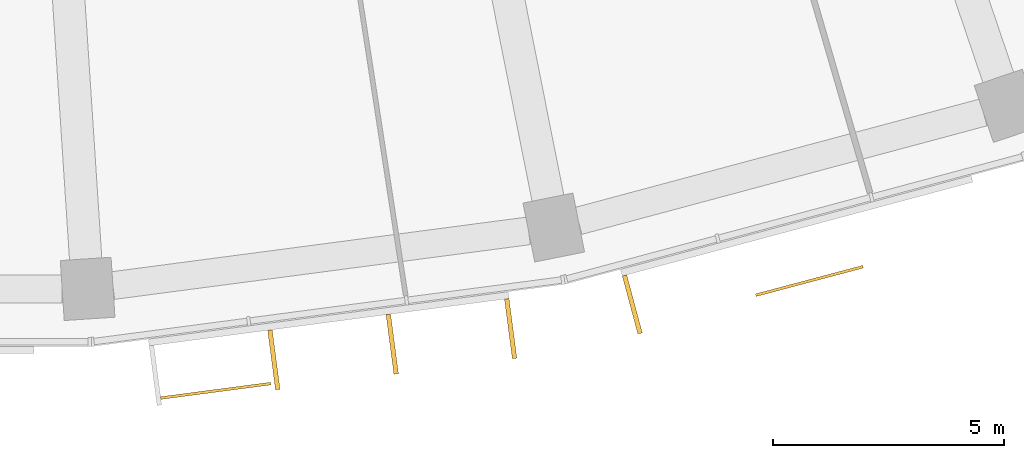
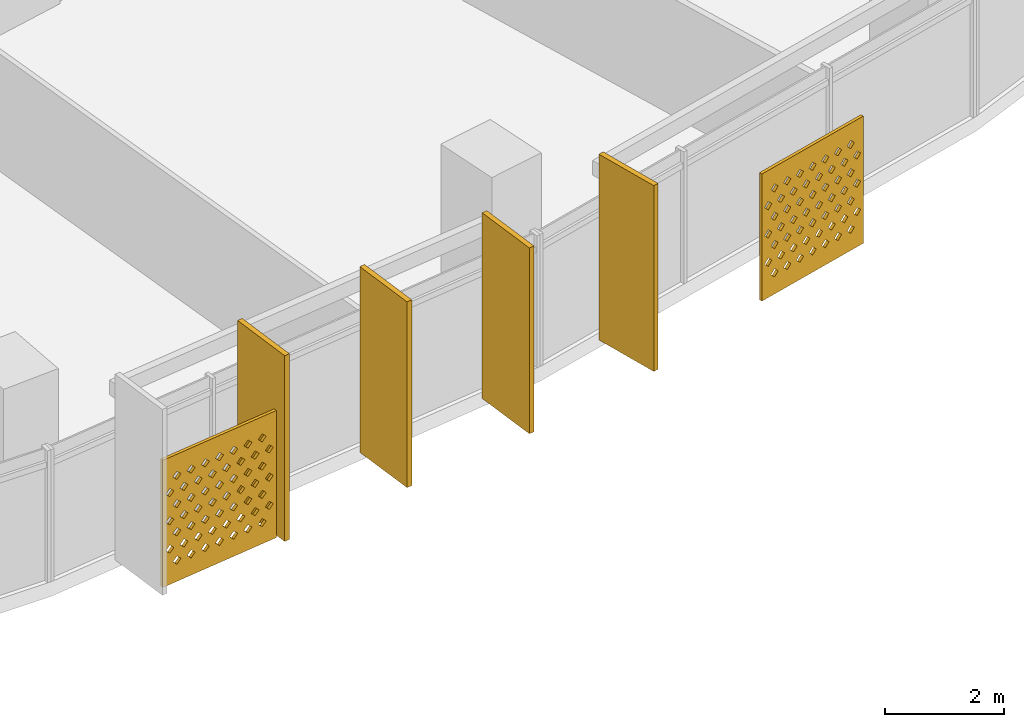
# One storey, part 24 of 27: 6 shading devices.
"""IFC4 building model written with IfcOpenShell, lengths in metres."""

import ifcopenshell
import ifcopenshell.guid

model = None  # the IFC model being written
_history = None  # IfcOwnerHistory: only IFC2X3 demands one
_inside = {}  # id of a spatial element -> (the spatial element, [elements in it])
_under = {}  # id of a project, library or spatial element -> (it, [spatial elements below it])
_declared = {}  # id of a project -> (the project, [libraries it declares])
_typed = {}  # id of a type object -> (the type object, [elements of that type])
_made_of = {}  # id of a material, layer set ... -> (it, [elements and type objects made of it])


def new_model(schema):
    """Start an empty IFC model of exactly this schema.

    Asked for "IFC4X3", IfcOpenShell would pick the latest addendum, in which some entities
    have other attributes; the version numbers below select the first issue.
    IFC2X3 requires an IfcOwnerHistory on every rooted entity: one is made here for all.
    """
    global model, _history
    if schema == "IFC4X3":
        model = ifcopenshell.file(schema_version=(4, 3, 0, 0))
    else:
        model = ifcopenshell.file(schema=schema)
    _inside.clear()
    _under.clear()
    _declared.clear()
    _typed.clear()
    _made_of.clear()
    _history = None
    if model.schema == "IFC2X3":
        org = make("IfcOrganization", Name="unknown")
        user = make(
            "IfcPersonAndOrganization",
            ThePerson=make("IfcPerson", FamilyName="unknown"),
            TheOrganization=org,
        )
        app = make(
            "IfcApplication",
            ApplicationDeveloper=org,
            Version="unknown",
            ApplicationFullName="unknown",
            ApplicationIdentifier="unknown",
        )
        _history = make(
            "IfcOwnerHistory",
            OwningUser=user,
            OwningApplication=app,
            ChangeAction="ADDED",
            CreationDate=0,
        )
    return model


def make(cls, **values):
    """One entity of the class cls with the attributes given. An attribute that is None is left unset."""
    return model.create_entity(
        cls, **{name: value for name, value in values.items() if value is not None}
    )


def rooted(cls, **values):
    """An entity with a GlobalId (a new one), such as an element, a storey or a relation."""
    return make(cls, GlobalId=ifcopenshell.guid.new(), OwnerHistory=_history, **values)


def si_unit(unit_type, name, prefix=None):
    """IfcSIUnit, for example si_unit("LENGTHUNIT", "METRE", prefix="MILLI")."""
    return make("IfcSIUnit", UnitType=unit_type, Prefix=prefix, Name=name)


def assignment(units):
    """IfcUnitAssignment: the units of a project."""
    return None if units is None else make("IfcUnitAssignment", Units=units)


def point(xyz):
    """IfcCartesianPoint."""
    return None if xyz is None else make("IfcCartesianPoint", Coordinates=xyz)


def direction(xyz):
    """IfcDirection."""
    return None if xyz is None else make("IfcDirection", DirectionRatios=xyz)


def frame(location, z_axis=None, x_axis=None):
    """IfcAxis2Placement3D, a coordinate frame: its origin and axes. An axis left out is left unset."""
    return make(
        "IfcAxis2Placement3D",
        Location=point(location),
        Axis=direction(z_axis),
        RefDirection=direction(x_axis),
    )


def frame_2d(location, x_axis=None):
    """IfcAxis2Placement2D, a coordinate frame in the plane: its origin and x axis."""
    return make(
        "IfcAxis2Placement2D", Location=point(location), RefDirection=direction(x_axis)
    )


def origin():
    """The frame at (0, 0, 0) with its axes left unset."""
    return frame((0.0, 0.0, 0.0))


def origin_2d():
    """The frame at (0, 0) in the plane with its x axis left unset."""
    return frame_2d((0.0, 0.0))


def place(relative_to, where):
    """IfcLocalPlacement: puts the frame where relative to a parent placement (None: the world)."""
    return make(
        "IfcLocalPlacement", PlacementRelTo=relative_to, RelativePlacement=where
    )


def context(
    kind, dimensions, precision=None, world=None, true_north=None, identifier=None
):
    """IfcGeometricRepresentationContext, for example the 3D "Model" context."""
    return make(
        "IfcGeometricRepresentationContext",
        ContextIdentifier=identifier,
        ContextType=kind,
        CoordinateSpaceDimension=dimensions,
        Precision=precision,
        WorldCoordinateSystem=world,
        TrueNorth=true_north,
    )


def subcontext(parent, identifier, kind, view, scale=None):
    """IfcGeometricRepresentationSubContext, for example "Body" below "Model"."""
    return make(
        "IfcGeometricRepresentationSubContext",
        ContextIdentifier=identifier,
        ContextType=kind,
        ParentContext=parent,
        TargetScale=scale,
        TargetView=view,
    )


def project(units=None, contexts=None):
    """IfcProject with its units and contexts."""
    return rooted(
        "IfcProject",
        Name="project",
        RepresentationContexts=contexts,
        UnitsInContext=assignment(units),
    )


def spatial(cls, under=None, at=None, **own):
    """A site, building, storey or space (cls), placed at a placement, below another one or the project."""
    s = rooted(cls, ObjectPlacement=at, **own)
    if under is not None:
        _under.setdefault(under.id(), (under, []))[1].append(s)
    return s


def polyline(points):
    """IfcPolyline through the points."""
    return make("IfcPolyline", Points=[point(p) for p in points])


def profile(cls, at=None, kind="AREA", **sizes):
    """A parametric profile (cls). Its sizes go by their IFC names, for example OverallWidth=200.0."""
    return make(cls, ProfileType=kind, Position=at, **sizes)


def rectangle(**sizes):
    """IfcRectangleProfileDef."""
    return profile("IfcRectangleProfileDef", **sizes)


def outline(outer, holes=None, kind="AREA"):
    """IfcArbitraryClosedProfileDef: a profile drawn as a closed curve; with holes, ...WithVoids."""
    if holes is None:
        return make("IfcArbitraryClosedProfileDef", ProfileType=kind, OuterCurve=outer)
    return make(
        "IfcArbitraryProfileDefWithVoids",
        ProfileType=kind,
        OuterCurve=outer,
        InnerCurves=holes,
    )


def extrude(swept, where, along, depth):
    """IfcExtrudedAreaSolid: the profile swept, set in the frame where, extruded along a direction by depth."""
    return make(
        "IfcExtrudedAreaSolid",
        SweptArea=swept,
        Position=where,
        ExtrudedDirection=direction(along),
        Depth=depth,
    )


def shape(context_of_items, identifier, shape_type, items):
    """IfcShapeRepresentation: the items that make up one representation, for example the "Body"."""
    return make(
        "IfcShapeRepresentation",
        ContextOfItems=context_of_items,
        RepresentationIdentifier=identifier,
        RepresentationType=shape_type,
        Items=items,
    )


def material(Name=None, Category=None):
    """IfcMaterial."""
    return make("IfcMaterial", Name=Name, Category=Category)


def material_profile(
    of_material, cross_section, Name=None, Category=None, Priority=None
):
    """IfcMaterialProfile: a cross section and its material."""
    return make(
        "IfcMaterialProfile",
        Name=Name,
        Material=of_material,
        Profile=cross_section,
        Priority=Priority,
        Category=Category,
    )


def profile_set(profiles, Name=None, composite=None):
    """IfcMaterialProfileSet."""
    return make(
        "IfcMaterialProfileSet",
        Name=Name,
        MaterialProfiles=profiles,
        CompositeProfile=composite,
    )


def made_of(thing, what):
    """Note that an element or type object is made of a material, layer set ...; save() writes the relation."""
    if what is not None:
        _made_of.setdefault(what.id(), (what, []))[1].append(thing)
    return thing


def type_object(cls, material=None, **own):
    """A type object (cls), such as IfcWallType, which elements share."""
    return made_of(rooted(cls, **own), material)


def element(
    cls,
    number,
    at=None,
    inside=None,
    cuts=None,
    type_object=None,
    material=None,
    context=None,
    identifier="Body",
    shape_type=None,
    held_by="IfcProductDefinitionShape",
    body=None,
    shapes=None,
    **own,
):
    """One element of the class cls, such as IfcWall. Its Tag is "e" and its number.

    at: its placement. inside: the storey or other place that contains it. cuts: it is an
    opening in that element (IfcRelVoidsElement). A single representation is given by context,
    identifier, shape_type and body (its items); several are given by shapes. held_by: the class
    of the entity that holds the representations. save() writes the other relations.
    """
    e = rooted(cls, Tag="e%d" % number, ObjectPlacement=at, **own)
    if body is not None:
        shapes = [shape(context, identifier, shape_type, body)]
    if shapes is not None:
        e.Representation = make(held_by, Representations=shapes)
    if inside is not None:
        _inside.setdefault(inside.id(), (inside, []))[1].append(e)
    if cuts is not None:
        rooted(
            "IfcRelVoidsElement", RelatingBuildingElement=cuts, RelatedOpeningElement=e
        )
    if type_object is not None:
        _typed.setdefault(type_object.id(), (type_object, []))[1].append(e)
    return made_of(e, material)


def aggregate(whole, parts):
    """IfcRelAggregates: a whole, such as a stair, and the parts it consists of."""
    return rooted("IfcRelAggregates", RelatingObject=whole, RelatedObjects=parts)


def save(model, path):
    """Write the relations noted so far, then the file.

    IfcRelAggregates (storeys below a building ...), IfcRelContainedInSpatialStructure (elements
    in a storey), IfcRelDefinesByType, IfcRelAssociatesMaterial and IfcRelDeclares: one each for
    every whole, place, type object, material and project.
    """
    for whole, parts in _under.values():
        aggregate(whole, parts)
    for where, things in _inside.values():
        rooted(
            "IfcRelContainedInSpatialStructure",
            RelatedElements=things,
            RelatingStructure=where,
        )
    for kind, things in _typed.values():
        rooted("IfcRelDefinesByType", RelatedObjects=things, RelatingType=kind)
    for what, things in _made_of.values():
        rooted("IfcRelAssociatesMaterial", RelatedObjects=things, RelatingMaterial=what)
    for by, libraries in _declared.values():
        rooted("IfcRelDeclares", RelatingContext=by, RelatedDefinitions=libraries)
    model.write(path)


model = new_model("IFC4")

# Units and contexts
model_context = context("Model", 3, precision=1e-05, world=origin(), true_north=direction((0.0, 1.0)))
body_context = subcontext(model_context, "Body", "Model", "MODEL_VIEW")
ifc_project = project(units=[si_unit("LENGTHUNIT", "METRE"), si_unit("AREAUNIT", "SQUARE_METRE"), si_unit("VOLUMEUNIT", "CUBIC_METRE"), si_unit("PLANEANGLEUNIT", "RADIAN"), si_unit("MASSUNIT", "GRAM", prefix="KILO")], contexts=[model_context])

# Site, building, storey
site_placement = place(None, origin())
site = spatial("IfcSite", under=ifc_project, at=site_placement, CompositionType="ELEMENT")
building_placement = place(site_placement, origin())
building = spatial("IfcBuilding", under=site, at=building_placement, Name="Qamariyya Broadcast Tower", CompositionType="ELEMENT")
storey_placement = place(building_placement, frame((0.0, 0.0, 191.10009765625)))
storey = spatial("IfcBuildingStorey", under=building, at=storey_placement, Name="L45", CompositionType="ELEMENT", Elevation=191.10009765625)

# Shading devices
ifc_material_1 = material(Name="Perforated glazed terracotta", Category="masonry")
ifc_material_profile_1 = material_profile(ifc_material_1, outline(polyline([(-1.199951171875, -1.300048828125), (1.199951171875, -1.300048828125), (1.199951171875, 1.300048828125), (-1.199951171875, 1.300048828125), (-1.199951171875, -1.300048828125)]), holes=[polyline([(-0.81494140625, -0.86669921875), (-0.89990234375, -0.78173828125), (-0.985107421875, -0.86669921875), (-0.89990234375, -0.95166015625), (-0.81494140625, -0.86669921875)]), polyline([(-0.514892578125, -0.86669921875), (-0.60009765625, -0.78173828125), (-0.68505859375, -0.86669921875), (-0.60009765625, -0.95166015625), (-0.514892578125, -0.86669921875)]), polyline([(-0.215087890625, -0.86669921875), (-0.300048828125, -0.78173828125), (-0.385009765625, -0.86669921875), (-0.300048828125, -0.95166015625), (-0.215087890625, -0.86669921875)]), polyline([(0.0849609375, -0.86669921875), (0.0, -0.78173828125), (-0.0849609375, -0.86669921875), (0.0, -0.95166015625), (0.0849609375, -0.86669921875)]), polyline([(0.385009765625, -0.86669921875), (0.300048828125, -0.78173828125), (0.215087890625, -0.86669921875), (0.300048828125, -0.95166015625), (0.385009765625, -0.86669921875)]), polyline([(0.68505859375, -0.86669921875), (0.60009765625, -0.78173828125), (0.514892578125, -0.86669921875), (0.60009765625, -0.95166015625), (0.68505859375, -0.86669921875)]), polyline([(0.985107421875, -0.86669921875), (0.89990234375, -0.78173828125), (0.81494140625, -0.86669921875), (0.89990234375, -0.95166015625), (0.985107421875, -0.86669921875)]), polyline([(-0.965087890625, -0.577880859375), (-1.050048828125, -0.49267578125), (-1.135009765625, -0.577880859375), (-1.050048828125, -0.662841796875), (-0.965087890625, -0.577880859375)]), polyline([(-0.6650390625, -0.577880859375), (-0.75, -0.49267578125), (-0.8349609375, -0.577880859375), (-0.75, -0.662841796875), (-0.6650390625, -0.577880859375)]), polyline([(-0.364990234375, -0.577880859375), (-0.449951171875, -0.49267578125), (-0.534912109375, -0.577880859375), (-0.449951171875, -0.662841796875), (-0.364990234375, -0.577880859375)]), polyline([(-0.06494140625, -0.577880859375), (-0.14990234375, -0.49267578125), (-0.235107421875, -0.577880859375), (-0.14990234375, -0.662841796875), (-0.06494140625, -0.577880859375)]), polyline([(0.235107421875, -0.577880859375), (0.14990234375, -0.49267578125), (0.06494140625, -0.577880859375), (0.14990234375, -0.662841796875), (0.235107421875, -0.577880859375)]), polyline([(0.534912109375, -0.577880859375), (0.449951171875, -0.49267578125), (0.364990234375, -0.577880859375), (0.449951171875, -0.662841796875), (0.534912109375, -0.577880859375)]), polyline([(0.8349609375, -0.577880859375), (0.75, -0.49267578125), (0.6650390625, -0.577880859375), (0.75, -0.662841796875), (0.8349609375, -0.577880859375)]), polyline([(1.135009765625, -0.577880859375), (1.050048828125, -0.49267578125), (0.965087890625, -0.577880859375), (1.050048828125, -0.662841796875), (1.135009765625, -0.577880859375)]), polyline([(-0.81494140625, -0.288818359375), (-0.89990234375, -0.203857421875), (-0.985107421875, -0.288818359375), (-0.89990234375, -0.373779296875), (-0.81494140625, -0.288818359375)]), polyline([(-0.514892578125, -0.288818359375), (-0.60009765625, -0.203857421875), (-0.68505859375, -0.288818359375), (-0.60009765625, -0.373779296875), (-0.514892578125, -0.288818359375)]), polyline([(-0.215087890625, -0.288818359375), (-0.300048828125, -0.203857421875), (-0.385009765625, -0.288818359375), (-0.300048828125, -0.373779296875), (-0.215087890625, -0.288818359375)]), polyline([(0.0849609375, -0.288818359375), (0.0, -0.203857421875), (-0.0849609375, -0.288818359375), (0.0, -0.373779296875), (0.0849609375, -0.288818359375)]), polyline([(0.385009765625, -0.288818359375), (0.300048828125, -0.203857421875), (0.215087890625, -0.288818359375), (0.300048828125, -0.373779296875), (0.385009765625, -0.288818359375)]), polyline([(0.68505859375, -0.288818359375), (0.60009765625, -0.203857421875), (0.514892578125, -0.288818359375), (0.60009765625, -0.373779296875), (0.68505859375, -0.288818359375)]), polyline([(0.985107421875, -0.288818359375), (0.89990234375, -0.203857421875), (0.81494140625, -0.288818359375), (0.89990234375, -0.373779296875), (0.985107421875, -0.288818359375)]), polyline([(-0.965087890625, 0.0), (-1.050048828125, 0.0849609375), (-1.135009765625, 0.0), (-1.050048828125, -0.0849609375), (-0.965087890625, 0.0)]), polyline([(-0.6650390625, 0.0), (-0.75, 0.0849609375), (-0.8349609375, 0.0), (-0.75, -0.0849609375), (-0.6650390625, 0.0)]), polyline([(-0.364990234375, 0.0), (-0.449951171875, 0.0849609375), (-0.534912109375, 0.0), (-0.449951171875, -0.0849609375), (-0.364990234375, 0.0)]), polyline([(-0.06494140625, 0.0), (-0.14990234375, 0.0849609375), (-0.235107421875, 0.0), (-0.14990234375, -0.0849609375), (-0.06494140625, 0.0)]), polyline([(0.235107421875, 0.0), (0.14990234375, 0.0849609375), (0.06494140625, 0.0), (0.14990234375, -0.0849609375), (0.235107421875, 0.0)]), polyline([(0.534912109375, 0.0), (0.449951171875, 0.0849609375), (0.364990234375, 0.0), (0.449951171875, -0.0849609375), (0.534912109375, 0.0)]), polyline([(0.8349609375, 0.0), (0.75, 0.0849609375), (0.6650390625, 0.0), (0.75, -0.0849609375), (0.8349609375, 0.0)]), polyline([(1.135009765625, 0.0), (1.050048828125, 0.0849609375), (0.965087890625, 0.0), (1.050048828125, -0.0849609375), (1.135009765625, 0.0)]), polyline([(-0.81494140625, 0.288818359375), (-0.89990234375, 0.373779296875), (-0.985107421875, 0.288818359375), (-0.89990234375, 0.203857421875), (-0.81494140625, 0.288818359375)]), polyline([(-0.514892578125, 0.288818359375), (-0.60009765625, 0.373779296875), (-0.68505859375, 0.288818359375), (-0.60009765625, 0.203857421875), (-0.514892578125, 0.288818359375)]), polyline([(-0.215087890625, 0.288818359375), (-0.300048828125, 0.373779296875), (-0.385009765625, 0.288818359375), (-0.300048828125, 0.203857421875), (-0.215087890625, 0.288818359375)]), polyline([(0.0849609375, 0.288818359375), (0.0, 0.373779296875), (-0.0849609375, 0.288818359375), (0.0, 0.203857421875), (0.0849609375, 0.288818359375)]), polyline([(0.385009765625, 0.288818359375), (0.300048828125, 0.373779296875), (0.215087890625, 0.288818359375), (0.300048828125, 0.203857421875), (0.385009765625, 0.288818359375)]), polyline([(0.68505859375, 0.288818359375), (0.60009765625, 0.373779296875), (0.514892578125, 0.288818359375), (0.60009765625, 0.203857421875), (0.68505859375, 0.288818359375)]), polyline([(0.985107421875, 0.288818359375), (0.89990234375, 0.373779296875), (0.81494140625, 0.288818359375), (0.89990234375, 0.203857421875), (0.985107421875, 0.288818359375)]), polyline([(-0.965087890625, 0.577880859375), (-1.050048828125, 0.662841796875), (-1.135009765625, 0.577880859375), (-1.050048828125, 0.49267578125), (-0.965087890625, 0.577880859375)]), polyline([(-0.6650390625, 0.577880859375), (-0.75, 0.662841796875), (-0.8349609375, 0.577880859375), (-0.75, 0.49267578125), (-0.6650390625, 0.577880859375)]), polyline([(-0.364990234375, 0.577880859375), (-0.449951171875, 0.662841796875), (-0.534912109375, 0.577880859375), (-0.449951171875, 0.49267578125), (-0.364990234375, 0.577880859375)]), polyline([(-0.06494140625, 0.577880859375), (-0.14990234375, 0.662841796875), (-0.235107421875, 0.577880859375), (-0.14990234375, 0.49267578125), (-0.06494140625, 0.577880859375)]), polyline([(0.235107421875, 0.577880859375), (0.14990234375, 0.662841796875), (0.06494140625, 0.577880859375), (0.14990234375, 0.49267578125), (0.235107421875, 0.577880859375)]), polyline([(0.534912109375, 0.577880859375), (0.449951171875, 0.662841796875), (0.364990234375, 0.577880859375), (0.449951171875, 0.49267578125), (0.534912109375, 0.577880859375)]), polyline([(0.8349609375, 0.577880859375), (0.75, 0.662841796875), (0.6650390625, 0.577880859375), (0.75, 0.49267578125), (0.8349609375, 0.577880859375)]), polyline([(1.135009765625, 0.577880859375), (1.050048828125, 0.662841796875), (0.965087890625, 0.577880859375), (1.050048828125, 0.49267578125), (1.135009765625, 0.577880859375)]), polyline([(-0.81494140625, 0.86669921875), (-0.89990234375, 0.95166015625), (-0.985107421875, 0.86669921875), (-0.89990234375, 0.78173828125), (-0.81494140625, 0.86669921875)]), polyline([(-0.514892578125, 0.86669921875), (-0.60009765625, 0.95166015625), (-0.68505859375, 0.86669921875), (-0.60009765625, 0.78173828125), (-0.514892578125, 0.86669921875)]), polyline([(-0.215087890625, 0.86669921875), (-0.300048828125, 0.95166015625), (-0.385009765625, 0.86669921875), (-0.300048828125, 0.78173828125), (-0.215087890625, 0.86669921875)]), polyline([(0.0849609375, 0.86669921875), (0.0, 0.95166015625), (-0.0849609375, 0.86669921875), (0.0, 0.78173828125), (0.0849609375, 0.86669921875)]), polyline([(0.385009765625, 0.86669921875), (0.300048828125, 0.95166015625), (0.215087890625, 0.86669921875), (0.300048828125, 0.78173828125), (0.385009765625, 0.86669921875)]), polyline([(0.68505859375, 0.86669921875), (0.60009765625, 0.95166015625), (0.514892578125, 0.86669921875), (0.60009765625, 0.78173828125), (0.68505859375, 0.86669921875)]), polyline([(0.985107421875, 0.86669921875), (0.89990234375, 0.95166015625), (0.81494140625, 0.86669921875), (0.89990234375, 0.78173828125), (0.985107421875, 0.86669921875)])]))
ifc_profile_set_1 = profile_set([ifc_material_profile_1], Name="Perforated glazed terracotta")
shading_device_type_1 = type_object("IfcShadingDeviceType", Name="Perforated terracotta screen 2400 x 2600", PredefinedType="USERDEFINED", material=ifc_profile_set_1)
shading_device_1_placement = place(storey_placement, frame((7.8525390625, -79.75830078125, 1.349853515625), z_axis=(0.13056005306, -0.991440402921, 0.0), x_axis=(0.991440402921, 0.13056005306, 0.0)))
element("IfcShadingDevice", 1, at=shading_device_1_placement, inside=storey, type_object=shading_device_type_1, Name="e-scr-L45-08-0", ObjectType="SCREEN", PredefinedType="USERDEFINED", context=body_context, shape_type="SweptSolid", body=[
    extrude(outline(polyline([(-1.199951171875, -1.300048828125), (1.199951171875, -1.300048828125), (1.199951171875, 1.300048828125), (-1.199951171875, 1.300048828125), (-1.199951171875, -1.300048828125)]), holes=[polyline([(-0.81494140625, -0.86669921875), (-0.89990234375, -0.78173828125), (-0.985107421875, -0.86669921875), (-0.89990234375, -0.95166015625), (-0.81494140625, -0.86669921875)]), polyline([(-0.514892578125, -0.86669921875), (-0.60009765625, -0.78173828125), (-0.68505859375, -0.86669921875), (-0.60009765625, -0.95166015625), (-0.514892578125, -0.86669921875)]), polyline([(-0.215087890625, -0.86669921875), (-0.300048828125, -0.78173828125), (-0.385009765625, -0.86669921875), (-0.300048828125, -0.95166015625), (-0.215087890625, -0.86669921875)]), polyline([(0.0849609375, -0.86669921875), (0.0, -0.78173828125), (-0.0849609375, -0.86669921875), (0.0, -0.95166015625), (0.0849609375, -0.86669921875)]), polyline([(0.385009765625, -0.86669921875), (0.300048828125, -0.78173828125), (0.215087890625, -0.86669921875), (0.300048828125, -0.95166015625), (0.385009765625, -0.86669921875)]), polyline([(0.68505859375, -0.86669921875), (0.60009765625, -0.78173828125), (0.514892578125, -0.86669921875), (0.60009765625, -0.95166015625), (0.68505859375, -0.86669921875)]), polyline([(0.985107421875, -0.86669921875), (0.89990234375, -0.78173828125), (0.81494140625, -0.86669921875), (0.89990234375, -0.95166015625), (0.985107421875, -0.86669921875)]), polyline([(-0.965087890625, -0.577880859375), (-1.050048828125, -0.49267578125), (-1.135009765625, -0.577880859375), (-1.050048828125, -0.662841796875), (-0.965087890625, -0.577880859375)]), polyline([(-0.6650390625, -0.577880859375), (-0.75, -0.49267578125), (-0.8349609375, -0.577880859375), (-0.75, -0.662841796875), (-0.6650390625, -0.577880859375)]), polyline([(-0.364990234375, -0.577880859375), (-0.449951171875, -0.49267578125), (-0.534912109375, -0.577880859375), (-0.449951171875, -0.662841796875), (-0.364990234375, -0.577880859375)]), polyline([(-0.06494140625, -0.577880859375), (-0.14990234375, -0.49267578125), (-0.235107421875, -0.577880859375), (-0.14990234375, -0.662841796875), (-0.06494140625, -0.577880859375)]), polyline([(0.235107421875, -0.577880859375), (0.14990234375, -0.49267578125), (0.06494140625, -0.577880859375), (0.14990234375, -0.662841796875), (0.235107421875, -0.577880859375)]), polyline([(0.534912109375, -0.577880859375), (0.449951171875, -0.49267578125), (0.364990234375, -0.577880859375), (0.449951171875, -0.662841796875), (0.534912109375, -0.577880859375)]), polyline([(0.8349609375, -0.577880859375), (0.75, -0.49267578125), (0.6650390625, -0.577880859375), (0.75, -0.662841796875), (0.8349609375, -0.577880859375)]), polyline([(1.135009765625, -0.577880859375), (1.050048828125, -0.49267578125), (0.965087890625, -0.577880859375), (1.050048828125, -0.662841796875), (1.135009765625, -0.577880859375)]), polyline([(-0.81494140625, -0.288818359375), (-0.89990234375, -0.203857421875), (-0.985107421875, -0.288818359375), (-0.89990234375, -0.373779296875), (-0.81494140625, -0.288818359375)]), polyline([(-0.514892578125, -0.288818359375), (-0.60009765625, -0.203857421875), (-0.68505859375, -0.288818359375), (-0.60009765625, -0.373779296875), (-0.514892578125, -0.288818359375)]), polyline([(-0.215087890625, -0.288818359375), (-0.300048828125, -0.203857421875), (-0.385009765625, -0.288818359375), (-0.300048828125, -0.373779296875), (-0.215087890625, -0.288818359375)]), polyline([(0.0849609375, -0.288818359375), (0.0, -0.203857421875), (-0.0849609375, -0.288818359375), (0.0, -0.373779296875), (0.0849609375, -0.288818359375)]), polyline([(0.385009765625, -0.288818359375), (0.300048828125, -0.203857421875), (0.215087890625, -0.288818359375), (0.300048828125, -0.373779296875), (0.385009765625, -0.288818359375)]), polyline([(0.68505859375, -0.288818359375), (0.60009765625, -0.203857421875), (0.514892578125, -0.288818359375), (0.60009765625, -0.373779296875), (0.68505859375, -0.288818359375)]), polyline([(0.985107421875, -0.288818359375), (0.89990234375, -0.203857421875), (0.81494140625, -0.288818359375), (0.89990234375, -0.373779296875), (0.985107421875, -0.288818359375)]), polyline([(-0.965087890625, 0.0), (-1.050048828125, 0.0849609375), (-1.135009765625, 0.0), (-1.050048828125, -0.0849609375), (-0.965087890625, 0.0)]), polyline([(-0.6650390625, 0.0), (-0.75, 0.0849609375), (-0.8349609375, 0.0), (-0.75, -0.0849609375), (-0.6650390625, 0.0)]), polyline([(-0.364990234375, 0.0), (-0.449951171875, 0.0849609375), (-0.534912109375, 0.0), (-0.449951171875, -0.0849609375), (-0.364990234375, 0.0)]), polyline([(-0.06494140625, 0.0), (-0.14990234375, 0.0849609375), (-0.235107421875, 0.0), (-0.14990234375, -0.0849609375), (-0.06494140625, 0.0)]), polyline([(0.235107421875, 0.0), (0.14990234375, 0.0849609375), (0.06494140625, 0.0), (0.14990234375, -0.0849609375), (0.235107421875, 0.0)]), polyline([(0.534912109375, 0.0), (0.449951171875, 0.0849609375), (0.364990234375, 0.0), (0.449951171875, -0.0849609375), (0.534912109375, 0.0)]), polyline([(0.8349609375, 0.0), (0.75, 0.0849609375), (0.6650390625, 0.0), (0.75, -0.0849609375), (0.8349609375, 0.0)]), polyline([(1.135009765625, 0.0), (1.050048828125, 0.0849609375), (0.965087890625, 0.0), (1.050048828125, -0.0849609375), (1.135009765625, 0.0)]), polyline([(-0.81494140625, 0.288818359375), (-0.89990234375, 0.373779296875), (-0.985107421875, 0.288818359375), (-0.89990234375, 0.203857421875), (-0.81494140625, 0.288818359375)]), polyline([(-0.514892578125, 0.288818359375), (-0.60009765625, 0.373779296875), (-0.68505859375, 0.288818359375), (-0.60009765625, 0.203857421875), (-0.514892578125, 0.288818359375)]), polyline([(-0.215087890625, 0.288818359375), (-0.300048828125, 0.373779296875), (-0.385009765625, 0.288818359375), (-0.300048828125, 0.203857421875), (-0.215087890625, 0.288818359375)]), polyline([(0.0849609375, 0.288818359375), (0.0, 0.373779296875), (-0.0849609375, 0.288818359375), (0.0, 0.203857421875), (0.0849609375, 0.288818359375)]), polyline([(0.385009765625, 0.288818359375), (0.300048828125, 0.373779296875), (0.215087890625, 0.288818359375), (0.300048828125, 0.203857421875), (0.385009765625, 0.288818359375)]), polyline([(0.68505859375, 0.288818359375), (0.60009765625, 0.373779296875), (0.514892578125, 0.288818359375), (0.60009765625, 0.203857421875), (0.68505859375, 0.288818359375)]), polyline([(0.985107421875, 0.288818359375), (0.89990234375, 0.373779296875), (0.81494140625, 0.288818359375), (0.89990234375, 0.203857421875), (0.985107421875, 0.288818359375)]), polyline([(-0.965087890625, 0.577880859375), (-1.050048828125, 0.662841796875), (-1.135009765625, 0.577880859375), (-1.050048828125, 0.49267578125), (-0.965087890625, 0.577880859375)]), polyline([(-0.6650390625, 0.577880859375), (-0.75, 0.662841796875), (-0.8349609375, 0.577880859375), (-0.75, 0.49267578125), (-0.6650390625, 0.577880859375)]), polyline([(-0.364990234375, 0.577880859375), (-0.449951171875, 0.662841796875), (-0.534912109375, 0.577880859375), (-0.449951171875, 0.49267578125), (-0.364990234375, 0.577880859375)]), polyline([(-0.06494140625, 0.577880859375), (-0.14990234375, 0.662841796875), (-0.235107421875, 0.577880859375), (-0.14990234375, 0.49267578125), (-0.06494140625, 0.577880859375)]), polyline([(0.235107421875, 0.577880859375), (0.14990234375, 0.662841796875), (0.06494140625, 0.577880859375), (0.14990234375, 0.49267578125), (0.235107421875, 0.577880859375)]), polyline([(0.534912109375, 0.577880859375), (0.449951171875, 0.662841796875), (0.364990234375, 0.577880859375), (0.449951171875, 0.49267578125), (0.534912109375, 0.577880859375)]), polyline([(0.8349609375, 0.577880859375), (0.75, 0.662841796875), (0.6650390625, 0.577880859375), (0.75, 0.49267578125), (0.8349609375, 0.577880859375)]), polyline([(1.135009765625, 0.577880859375), (1.050048828125, 0.662841796875), (0.965087890625, 0.577880859375), (1.050048828125, 0.49267578125), (1.135009765625, 0.577880859375)]), polyline([(-0.81494140625, 0.86669921875), (-0.89990234375, 0.95166015625), (-0.985107421875, 0.86669921875), (-0.89990234375, 0.78173828125), (-0.81494140625, 0.86669921875)]), polyline([(-0.514892578125, 0.86669921875), (-0.60009765625, 0.95166015625), (-0.68505859375, 0.86669921875), (-0.60009765625, 0.78173828125), (-0.514892578125, 0.86669921875)]), polyline([(-0.215087890625, 0.86669921875), (-0.300048828125, 0.95166015625), (-0.385009765625, 0.86669921875), (-0.300048828125, 0.78173828125), (-0.215087890625, 0.86669921875)]), polyline([(0.0849609375, 0.86669921875), (0.0, 0.95166015625), (-0.0849609375, 0.86669921875), (0.0, 0.78173828125), (0.0849609375, 0.86669921875)]), polyline([(0.385009765625, 0.86669921875), (0.300048828125, 0.95166015625), (0.215087890625, 0.86669921875), (0.300048828125, 0.78173828125), (0.385009765625, 0.86669921875)]), polyline([(0.68505859375, 0.86669921875), (0.60009765625, 0.95166015625), (0.514892578125, 0.86669921875), (0.60009765625, 0.78173828125), (0.68505859375, 0.86669921875)]), polyline([(0.985107421875, 0.86669921875), (0.89990234375, 0.95166015625), (0.81494140625, 0.86669921875), (0.89990234375, 0.78173828125), (0.985107421875, 0.86669921875)])]), origin(), (0.0, 0.0, 1.0), 0.059814453125),
])
shading_device_2_placement = place(storey_placement, frame((20.69140625, -77.38232421875, 1.349853515625), z_axis=(0.256901156343, -0.966437683387, 0.0), x_axis=(0.966437683387, 0.256901156343, 0.0)))
element("IfcShadingDevice", 2, at=shading_device_2_placement, inside=storey, type_object=shading_device_type_1, Name="e-scr-L45-09-1", ObjectType="SCREEN", PredefinedType="USERDEFINED", context=body_context, shape_type="SweptSolid", body=[
    extrude(outline(polyline([(-1.199951171875, -1.300048828125), (1.199951171875, -1.300048828125), (1.199951171875, 1.300048828125), (-1.199951171875, 1.300048828125), (-1.199951171875, -1.300048828125)]), holes=[polyline([(-0.81494140625, -0.86669921875), (-0.89990234375, -0.78173828125), (-0.985107421875, -0.86669921875), (-0.89990234375, -0.95166015625), (-0.81494140625, -0.86669921875)]), polyline([(-0.514892578125, -0.86669921875), (-0.60009765625, -0.78173828125), (-0.68505859375, -0.86669921875), (-0.60009765625, -0.95166015625), (-0.514892578125, -0.86669921875)]), polyline([(-0.215087890625, -0.86669921875), (-0.300048828125, -0.78173828125), (-0.385009765625, -0.86669921875), (-0.300048828125, -0.95166015625), (-0.215087890625, -0.86669921875)]), polyline([(0.0849609375, -0.86669921875), (0.0, -0.78173828125), (-0.0849609375, -0.86669921875), (0.0, -0.95166015625), (0.0849609375, -0.86669921875)]), polyline([(0.385009765625, -0.86669921875), (0.300048828125, -0.78173828125), (0.215087890625, -0.86669921875), (0.300048828125, -0.95166015625), (0.385009765625, -0.86669921875)]), polyline([(0.68505859375, -0.86669921875), (0.60009765625, -0.78173828125), (0.514892578125, -0.86669921875), (0.60009765625, -0.95166015625), (0.68505859375, -0.86669921875)]), polyline([(0.985107421875, -0.86669921875), (0.89990234375, -0.78173828125), (0.81494140625, -0.86669921875), (0.89990234375, -0.95166015625), (0.985107421875, -0.86669921875)]), polyline([(-0.965087890625, -0.577880859375), (-1.050048828125, -0.49267578125), (-1.135009765625, -0.577880859375), (-1.050048828125, -0.662841796875), (-0.965087890625, -0.577880859375)]), polyline([(-0.6650390625, -0.577880859375), (-0.75, -0.49267578125), (-0.8349609375, -0.577880859375), (-0.75, -0.662841796875), (-0.6650390625, -0.577880859375)]), polyline([(-0.364990234375, -0.577880859375), (-0.449951171875, -0.49267578125), (-0.534912109375, -0.577880859375), (-0.449951171875, -0.662841796875), (-0.364990234375, -0.577880859375)]), polyline([(-0.06494140625, -0.577880859375), (-0.14990234375, -0.49267578125), (-0.235107421875, -0.577880859375), (-0.14990234375, -0.662841796875), (-0.06494140625, -0.577880859375)]), polyline([(0.235107421875, -0.577880859375), (0.14990234375, -0.49267578125), (0.06494140625, -0.577880859375), (0.14990234375, -0.662841796875), (0.235107421875, -0.577880859375)]), polyline([(0.534912109375, -0.577880859375), (0.449951171875, -0.49267578125), (0.364990234375, -0.577880859375), (0.449951171875, -0.662841796875), (0.534912109375, -0.577880859375)]), polyline([(0.8349609375, -0.577880859375), (0.75, -0.49267578125), (0.6650390625, -0.577880859375), (0.75, -0.662841796875), (0.8349609375, -0.577880859375)]), polyline([(1.135009765625, -0.577880859375), (1.050048828125, -0.49267578125), (0.965087890625, -0.577880859375), (1.050048828125, -0.662841796875), (1.135009765625, -0.577880859375)]), polyline([(-0.81494140625, -0.288818359375), (-0.89990234375, -0.203857421875), (-0.985107421875, -0.288818359375), (-0.89990234375, -0.373779296875), (-0.81494140625, -0.288818359375)]), polyline([(-0.514892578125, -0.288818359375), (-0.60009765625, -0.203857421875), (-0.68505859375, -0.288818359375), (-0.60009765625, -0.373779296875), (-0.514892578125, -0.288818359375)]), polyline([(-0.215087890625, -0.288818359375), (-0.300048828125, -0.203857421875), (-0.385009765625, -0.288818359375), (-0.300048828125, -0.373779296875), (-0.215087890625, -0.288818359375)]), polyline([(0.0849609375, -0.288818359375), (0.0, -0.203857421875), (-0.0849609375, -0.288818359375), (0.0, -0.373779296875), (0.0849609375, -0.288818359375)]), polyline([(0.385009765625, -0.288818359375), (0.300048828125, -0.203857421875), (0.215087890625, -0.288818359375), (0.300048828125, -0.373779296875), (0.385009765625, -0.288818359375)]), polyline([(0.68505859375, -0.288818359375), (0.60009765625, -0.203857421875), (0.514892578125, -0.288818359375), (0.60009765625, -0.373779296875), (0.68505859375, -0.288818359375)]), polyline([(0.985107421875, -0.288818359375), (0.89990234375, -0.203857421875), (0.81494140625, -0.288818359375), (0.89990234375, -0.373779296875), (0.985107421875, -0.288818359375)]), polyline([(-0.965087890625, 0.0), (-1.050048828125, 0.0849609375), (-1.135009765625, 0.0), (-1.050048828125, -0.0849609375), (-0.965087890625, 0.0)]), polyline([(-0.6650390625, 0.0), (-0.75, 0.0849609375), (-0.8349609375, 0.0), (-0.75, -0.0849609375), (-0.6650390625, 0.0)]), polyline([(-0.364990234375, 0.0), (-0.449951171875, 0.0849609375), (-0.534912109375, 0.0), (-0.449951171875, -0.0849609375), (-0.364990234375, 0.0)]), polyline([(-0.06494140625, 0.0), (-0.14990234375, 0.0849609375), (-0.235107421875, 0.0), (-0.14990234375, -0.0849609375), (-0.06494140625, 0.0)]), polyline([(0.235107421875, 0.0), (0.14990234375, 0.0849609375), (0.06494140625, 0.0), (0.14990234375, -0.0849609375), (0.235107421875, 0.0)]), polyline([(0.534912109375, 0.0), (0.449951171875, 0.0849609375), (0.364990234375, 0.0), (0.449951171875, -0.0849609375), (0.534912109375, 0.0)]), polyline([(0.8349609375, 0.0), (0.75, 0.0849609375), (0.6650390625, 0.0), (0.75, -0.0849609375), (0.8349609375, 0.0)]), polyline([(1.135009765625, 0.0), (1.050048828125, 0.0849609375), (0.965087890625, 0.0), (1.050048828125, -0.0849609375), (1.135009765625, 0.0)]), polyline([(-0.81494140625, 0.288818359375), (-0.89990234375, 0.373779296875), (-0.985107421875, 0.288818359375), (-0.89990234375, 0.203857421875), (-0.81494140625, 0.288818359375)]), polyline([(-0.514892578125, 0.288818359375), (-0.60009765625, 0.373779296875), (-0.68505859375, 0.288818359375), (-0.60009765625, 0.203857421875), (-0.514892578125, 0.288818359375)]), polyline([(-0.215087890625, 0.288818359375), (-0.300048828125, 0.373779296875), (-0.385009765625, 0.288818359375), (-0.300048828125, 0.203857421875), (-0.215087890625, 0.288818359375)]), polyline([(0.0849609375, 0.288818359375), (0.0, 0.373779296875), (-0.0849609375, 0.288818359375), (0.0, 0.203857421875), (0.0849609375, 0.288818359375)]), polyline([(0.385009765625, 0.288818359375), (0.300048828125, 0.373779296875), (0.215087890625, 0.288818359375), (0.300048828125, 0.203857421875), (0.385009765625, 0.288818359375)]), polyline([(0.68505859375, 0.288818359375), (0.60009765625, 0.373779296875), (0.514892578125, 0.288818359375), (0.60009765625, 0.203857421875), (0.68505859375, 0.288818359375)]), polyline([(0.985107421875, 0.288818359375), (0.89990234375, 0.373779296875), (0.81494140625, 0.288818359375), (0.89990234375, 0.203857421875), (0.985107421875, 0.288818359375)]), polyline([(-0.965087890625, 0.577880859375), (-1.050048828125, 0.662841796875), (-1.135009765625, 0.577880859375), (-1.050048828125, 0.49267578125), (-0.965087890625, 0.577880859375)]), polyline([(-0.6650390625, 0.577880859375), (-0.75, 0.662841796875), (-0.8349609375, 0.577880859375), (-0.75, 0.49267578125), (-0.6650390625, 0.577880859375)]), polyline([(-0.364990234375, 0.577880859375), (-0.449951171875, 0.662841796875), (-0.534912109375, 0.577880859375), (-0.449951171875, 0.49267578125), (-0.364990234375, 0.577880859375)]), polyline([(-0.06494140625, 0.577880859375), (-0.14990234375, 0.662841796875), (-0.235107421875, 0.577880859375), (-0.14990234375, 0.49267578125), (-0.06494140625, 0.577880859375)]), polyline([(0.235107421875, 0.577880859375), (0.14990234375, 0.662841796875), (0.06494140625, 0.577880859375), (0.14990234375, 0.49267578125), (0.235107421875, 0.577880859375)]), polyline([(0.534912109375, 0.577880859375), (0.449951171875, 0.662841796875), (0.364990234375, 0.577880859375), (0.449951171875, 0.49267578125), (0.534912109375, 0.577880859375)]), polyline([(0.8349609375, 0.577880859375), (0.75, 0.662841796875), (0.6650390625, 0.577880859375), (0.75, 0.49267578125), (0.8349609375, 0.577880859375)]), polyline([(1.135009765625, 0.577880859375), (1.050048828125, 0.662841796875), (0.965087890625, 0.577880859375), (1.050048828125, 0.49267578125), (1.135009765625, 0.577880859375)]), polyline([(-0.81494140625, 0.86669921875), (-0.89990234375, 0.95166015625), (-0.985107421875, 0.86669921875), (-0.89990234375, 0.78173828125), (-0.81494140625, 0.86669921875)]), polyline([(-0.514892578125, 0.86669921875), (-0.60009765625, 0.95166015625), (-0.68505859375, 0.86669921875), (-0.60009765625, 0.78173828125), (-0.514892578125, 0.86669921875)]), polyline([(-0.215087890625, 0.86669921875), (-0.300048828125, 0.95166015625), (-0.385009765625, 0.86669921875), (-0.300048828125, 0.78173828125), (-0.215087890625, 0.86669921875)]), polyline([(0.0849609375, 0.86669921875), (0.0, 0.95166015625), (-0.0849609375, 0.86669921875), (0.0, 0.78173828125), (0.0849609375, 0.86669921875)]), polyline([(0.385009765625, 0.86669921875), (0.300048828125, 0.95166015625), (0.215087890625, 0.86669921875), (0.300048828125, 0.78173828125), (0.385009765625, 0.86669921875)]), polyline([(0.68505859375, 0.86669921875), (0.60009765625, 0.95166015625), (0.514892578125, 0.86669921875), (0.60009765625, 0.78173828125), (0.68505859375, 0.86669921875)]), polyline([(0.985107421875, 0.86669921875), (0.89990234375, 0.95166015625), (0.81494140625, 0.86669921875), (0.89990234375, 0.78173828125), (0.985107421875, 0.86669921875)])]), origin(), (0.0, 0.0, 1.0), 0.059814453125),
])
ifc_material_2 = material(Name="Glazed terracotta", Category="masonry")
ifc_material_profile_2 = material_profile(ifc_material_2, rectangle(XDim=1.300048828125, YDim=0.10009765625, at=origin_2d()))
ifc_profile_set_2 = profile_set([ifc_material_profile_2], Name="Glazed terracotta")
shading_device_type_2 = type_object("IfcShadingDeviceType", Name="Terracotta fin 100 x 1300", PredefinedType="USERDEFINED", material=ifc_profile_set_2)
for number, where, z_axis, x_axis, name in (
    (3, (9.11328125, -79.1181640625, 0.0), (0.0, 0.0, 1.0), (0.13052619222, -0.991444861374, 0.0), "e-fin-L45-08-1"),
    (4, (11.674560546875, -78.781005859375, 0.0), (0.0, 0.0, 1.0), (0.13052619222, -0.991444861374, 0.0), "e-fin-L45-08-2"),
    (5, (14.23583984375, -78.44384765625, 0.0), (0.0, 0.0, 1.0), (0.13052619222, -0.991444861374, 0.0), "e-fin-L45-08-3"),
    (6, (16.866943359375, -77.92041015625, 0.0), (0.0, 0.0, 1.0), (0.258819045103, -0.965925826289, 0.0), "e-fin-L45-09-0"),
):
    element("IfcShadingDevice", number, at=place(storey_placement, frame(where, z_axis=z_axis, x_axis=x_axis)), inside=storey, type_object=shading_device_type_2, Name=name, ObjectType="FIN", PredefinedType="USERDEFINED", context=body_context, shape_type="SweptSolid", body=[
        extrude(rectangle(XDim=1.300048828125, YDim=0.10009765625, at=origin_2d()), origin(), (0.0, 0.0, 1.0), 3.7998046875),
    ])

save(model, "model.ifc")
